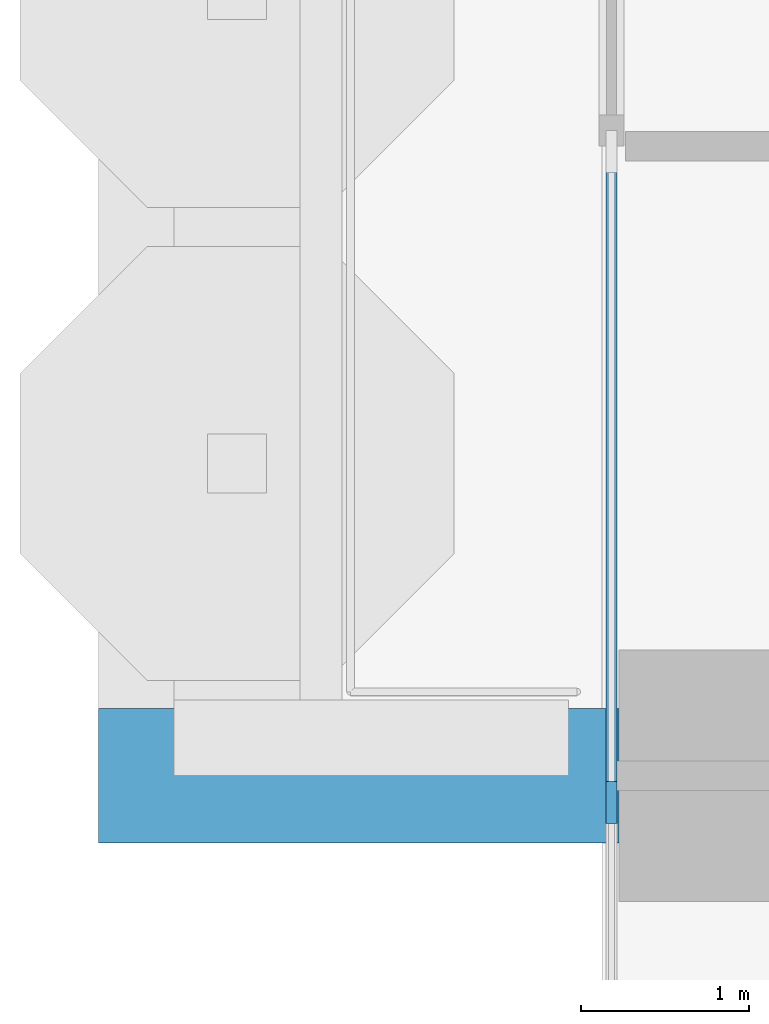
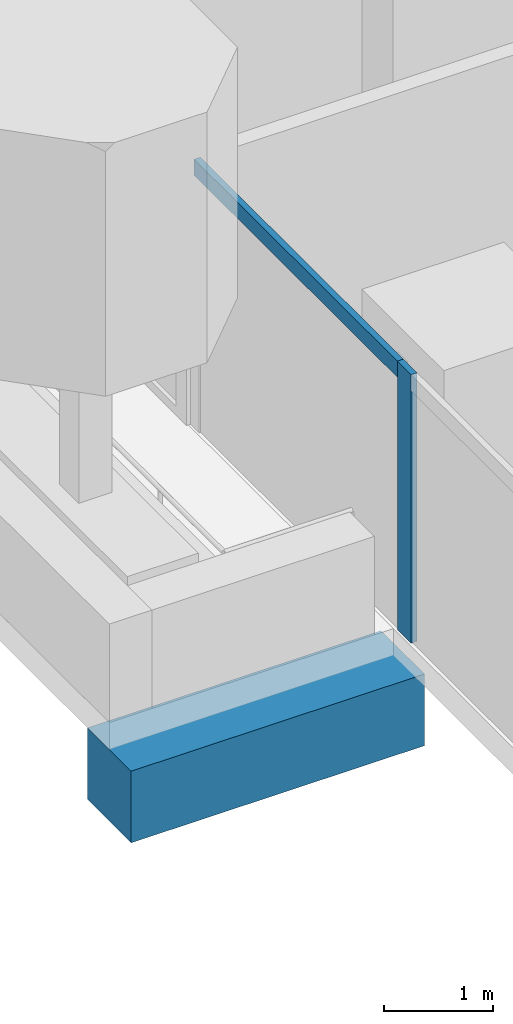
# One storey, part 3 of 18: 2 members, 1 beam, 1 element without a shape of its own.
"""IFC4 building model written with IfcOpenShell, lengths in metres."""

from ifc_helpers import new_model, si_unit, direction, frame, origin, origin_2d, place, context, subcontext, project, spatial, rectangle, extrude, material, material_profile, profile_set, type_object, element, aggregate, save


model = new_model("IFC4")

# Units and contexts
model_context = context("Model", 3, precision=1e-05, world=origin(), true_north=direction((0.0, 1.0)))
body_context = subcontext(model_context, "Body", "Model", "MODEL_VIEW")
ifc_project = project(units=[si_unit("LENGTHUNIT", "METRE"), si_unit("AREAUNIT", "SQUARE_METRE"), si_unit("VOLUMEUNIT", "CUBIC_METRE"), si_unit("PLANEANGLEUNIT", "RADIAN"), si_unit("MASSUNIT", "GRAM", prefix="KILO")], contexts=[model_context])

# Site, building, storey
site_placement = place(None, origin())
site = spatial("IfcSite", under=ifc_project, at=site_placement, CompositionType="ELEMENT")
building_placement = place(site_placement, origin())
building = spatial("IfcBuilding", under=site, at=building_placement, Name="Pilkhan Gate Tower", CompositionType="ELEMENT")
storey_placement = place(building_placement, frame((0.0, 0.0, 75.800048828125)))
storey = spatial("IfcBuildingStorey", under=building, at=storey_placement, Name="L17", CompositionType="ELEMENT", Elevation=75.800048828125)

# Beam
ifc_material_1 = material(Name="Concrete C50/60", Category="concrete")
ifc_material_profile_1 = material_profile(ifc_material_1, rectangle(XDim=0.800048828125, YDim=0.800048828125, at=origin_2d()), Name="RC 800x800")
ifc_profile_set_1 = profile_set([ifc_material_profile_1], Name="Concrete C50/60")
beam_type = type_object("IfcBeamType", Name="Cantilever beam CB2 RC 800x800 C50/60", PredefinedType="BEAM", material=ifc_profile_set_1)
beam_placement = place(storey_placement, frame((48.0, 67.5, -0.699951171875), z_axis=(-1.0, 0.0, 0.0), x_axis=(0.0, -1.0, 0.0)))
element("IfcBeam", 1, at=beam_placement, inside=storey, type_object=beam_type, Name="Balcony beam W.1 L17", PredefinedType="BEAM", context=body_context, shape_type="SweptSolid", body=[
    extrude(rectangle(XDim=0.800048828125, YDim=0.800048828125, at=origin_2d()), origin(), (0.0, 0.0, 1.0), 3.10009765625),
])

# Curtain wall, members
ifc_material_2 = material(Name="Pale anodised aluminium, clear low-iron double glazing", Category="aluminium")
curtain_wall_type = type_object("IfcCurtainWallType", Name="Hotel unitised curtain wall CW-H", PredefinedType="USERDEFINED", material=ifc_material_2)
curtain_wall_placement = place(storey_placement, origin())
curtain_wall = element("IfcCurtainWall", 2, at=curtain_wall_placement, inside=storey, type_object=curtain_wall_type, Name="Hotel unitised curtain wall CW-H L17 W", ObjectType="UNITISED CURTAIN WALL", PredefinedType="USERDEFINED")
ifc_material_3 = material(Name="Pale anodised aluminium", Category="aluminium")
ifc_material_profile_2 = material_profile(ifc_material_3, rectangle(XDim=0.06494140625, YDim=0.25, at=origin_2d()), Name="Mullion 250x65")
ifc_profile_set_2 = profile_set([ifc_material_profile_2], Name="Pale anodised aluminium")
member_type_1 = type_object("IfcMemberType", Name="Mullion CW-H 250x65", PredefinedType="MULLION", material=ifc_profile_set_2)
member_1_placement = place(storey_placement, frame((47.955078125, 67.341064453125, 0.0), z_axis=(0.0, 0.0, 1.0), x_axis=(-1.0, 0.0, 0.0)))
member_1 = element("IfcMember", 3, at=member_1_placement, type_object=member_type_1, Name="CW-H mullion 2", PredefinedType="MULLION", context=body_context, shape_type="SweptSolid", body=[
    extrude(rectangle(XDim=0.06494140625, YDim=0.25, at=origin_2d()), origin(), (0.0, 0.0, 1.0), 3.0),
])
ifc_material_profile_3 = material_profile(ifc_material_3, rectangle(XDim=0.06494140625, YDim=0.179931640625, at=origin_2d()), Name="Transom 180x65")
ifc_profile_set_3 = profile_set([ifc_material_profile_3], Name="Pale anodised aluminium")
member_type_2 = type_object("IfcMemberType", Name="Transom CW-H 180x65", PredefinedType="USERDEFINED", material=ifc_profile_set_3)
member_2_placement = place(storey_placement, frame((47.955078125, 67.37353515625, 2.909912109375), z_axis=(0.0, 1.0, 0.0), x_axis=(-1.0, 0.0, 0.0)))
member_2 = element("IfcMember", 4, at=member_2_placement, type_object=member_type_2, Name="CW-H transom 2", ObjectType="TRANSOM", PredefinedType="USERDEFINED", context=body_context, shape_type="SweptSolid", body=[
    extrude(rectangle(XDim=0.06494140625, YDim=0.179931640625, at=origin_2d()), origin(), (0.0, 0.0, 1.0), 3.8115234375),
])
aggregate(curtain_wall, [member_1, member_2])

save(model, "model.ifc")
